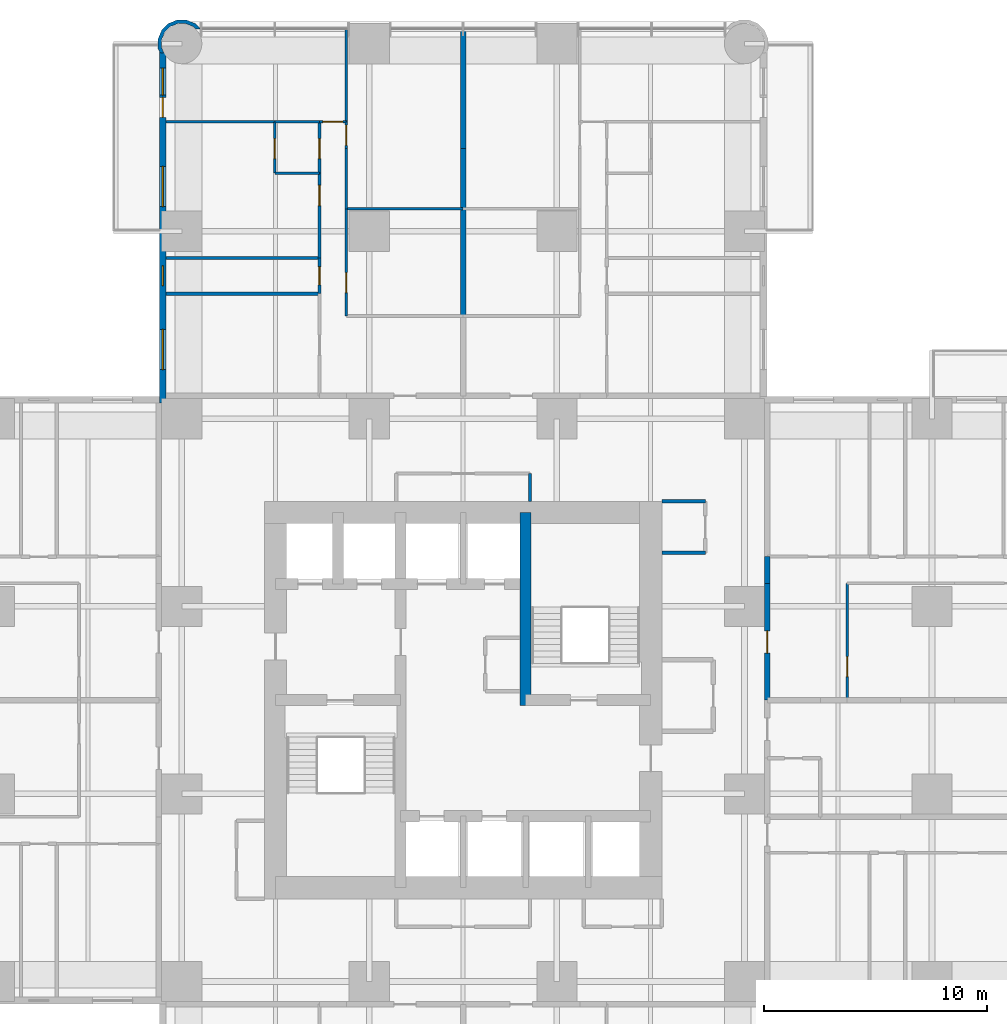
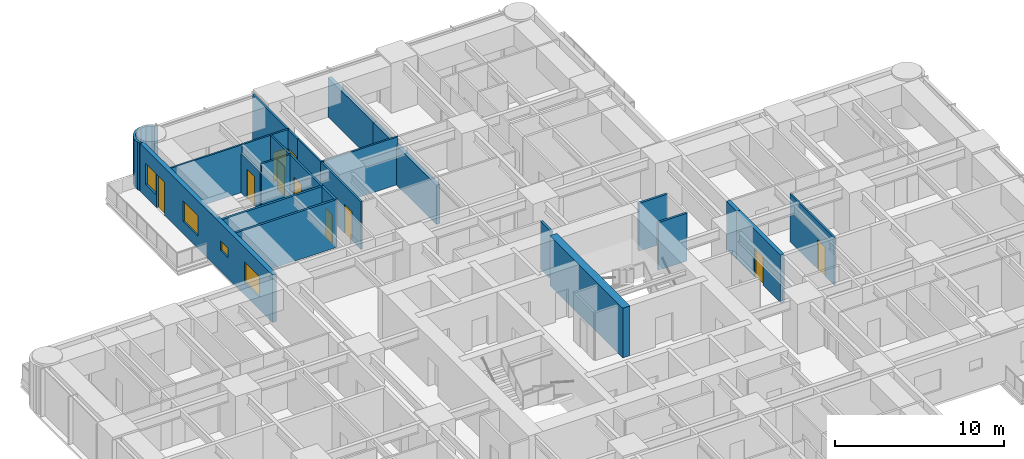
# One storey, part 13 of 17: 27 walls, 10 doors, 4 windows, 14 openings.
"""IFC4 building model written with IfcOpenShell, lengths in metres."""

from ifc_helpers import new_model, si_unit, direction, frame, frame_2d, origin, place, context, subcontext, project, spatial, polyline, rectangle, outline, extrude, material, layer, layer_set, type_object, element, fill, save


model = new_model("IFC4")

# Units and contexts
model_context = context("Model", 3, precision=1e-05, world=origin(), true_north=direction((0.0, 1.0)))
body_context = subcontext(model_context, "Body", "Model", "MODEL_VIEW")
ifc_project = project(units=[si_unit("LENGTHUNIT", "METRE"), si_unit("AREAUNIT", "SQUARE_METRE"), si_unit("VOLUMEUNIT", "CUBIC_METRE"), si_unit("PLANEANGLEUNIT", "RADIAN"), si_unit("MASSUNIT", "GRAM", prefix="KILO")], contexts=[model_context])

# Site, building, storey
site_placement = place(None, origin())
site = spatial("IfcSite", under=ifc_project, at=site_placement, CompositionType="ELEMENT")
building_placement = place(site_placement, origin())
building = spatial("IfcBuilding", under=site, at=building_placement, Name="Torre Alcanfor", CompositionType="ELEMENT")
storey_placement = place(building_placement, frame((0.0, 0.0, 52.5)))
storey = spatial("IfcBuildingStorey", under=building, at=storey_placement, Name="L12", CompositionType="ELEMENT", Elevation=52.5)

# Wall, opening, door
ifc_material_1 = material(Name="Concrete block masonry, hollow blocks NMX-C-404 9 MPa", Category="masonry")
ifc_layer_1 = layer(ifc_material_1, 0.25)
ifc_layer_set_1 = layer_set([ifc_layer_1], Name="Apartment entrance wall 250 EI 60")
wall_type_1 = type_object("IfcWallType", Name="Apartment entrance wall 250 EI 60", PredefinedType="PARTITIONING", material=ifc_layer_set_1)
wall_1_placement = place(storey_placement, frame((43.02490234375, 34.62890625, 0.0), z_axis=(0.0, 0.0, 1.0), x_axis=(0.0, -1.0, 0.0)))
wall_1 = element("IfcWall", 1, at=wall_1_placement, inside=storey, type_object=wall_type_1, Name="Partition L12-CORR / L12-E1-ZAG", PredefinedType="PARTITIONING", context=body_context, shape_type="SweptSolid", body=[
    extrude(rectangle(XDim=5.22900390625, YDim=0.25, at=frame_2d((2.614501953125, 0.0))), origin(), (0.0, 0.0, 1.0), 3.449951171875),
])
opening_1_placement = place(wall_1_placement, frame((2.12890625, 0.0, 0.0)))
opening_1 = element("IfcOpeningElement", 2, at=opening_1_placement, cuts=wall_1, Name="Opening D-A1", PredefinedType="OPENING", context=body_context, shape_type="SweptSolid", body=[
    extrude(rectangle(XDim=1.0, YDim=2.10009765625, at=frame_2d((0.5, 1.050048828125))), frame((0.0, 0.135009765625, 0.0), z_axis=(0.0, -1.0, 0.0), x_axis=(1.0, 0.0, 0.0)), (0.0, 0.0, 1.0), 0.27001953125),
])
ifc_material_2 = material(Name="Galvanised steel sheet ASTM A653", Category="steel")
door_type_1 = type_object("IfcDoorType", Name="Apartment entrance door FD60 1000x2100", OperationType="SINGLE_SWING_LEFT", PredefinedType="DOOR", material=ifc_material_2)
door_1_placement = place(opening_1_placement, origin())
door_1 = element("IfcDoor", 3, at=door_1_placement, inside=storey, type_object=door_type_1, Name="Apartment entrance L12-E1", OperationType="SINGLE_SWING_RIGHT", OverallHeight=2.10009765625, OverallWidth=1.0, PredefinedType="DOOR", context=body_context, shape_type="SweptSolid", body=[
    extrude(rectangle(XDim=1.0, YDim=2.10009765625, at=frame_2d((0.5, 1.050048828125))), frame((0.0, 0.02490234375, 0.0), z_axis=(0.0, -1.0, 0.0), x_axis=(1.0, 0.0, 0.0)), (0.0, 0.0, 1.0), 0.050048828125),
])
fill(opening_1, door_1)

# Walls
wall_2_placement = place(storey_placement, frame((43.02490234375, 35.8291015625, 0.0), z_axis=(0.0, 0.0, 1.0), x_axis=(0.0, -1.0, 0.0)))
element("IfcWall", 4, at=wall_2_placement, inside=storey, type_object=wall_type_1, Name="Partition L12-CORR / L12-E1-HALL", PredefinedType="PARTITIONING", context=body_context, shape_type="SweptSolid", body=[
    extrude(rectangle(XDim=1.2001953125, YDim=0.25, at=frame_2d((0.60009765625, 0.0))), origin(), (0.0, 0.0, 1.0), 3.449951171875),
])
ifc_material_3 = material(Name="Gypsum board on steel studs", Category="steel")
ifc_layer_2 = layer(ifc_material_3, 0.1201171875)
ifc_layer_set_2 = layer_set([ifc_layer_2], Name="Apartment partition 120")
wall_type_2 = type_object("IfcWallType", Name="Apartment partition 120", PredefinedType="PARTITIONING", material=ifc_layer_set_2)
wall_3_placement = place(storey_placement, frame((29.39990234375, 51.39990234375, 0.0), z_axis=(0.0, 0.0, 1.0), x_axis=(-1.0, 0.0, 0.0)))
element("IfcWall", 5, at=wall_3_placement, inside=storey, type_object=wall_type_2, Name="Partition L12-N1-FAMILY / L12-N1-KITCHEN", PredefinedType="PARTITIONING", context=body_context, shape_type="SweptSolid", body=[
    extrude(rectangle(XDim=5.22900390625, YDim=0.1201171875, at=frame_2d((2.614501953125, 0.0))), origin(), (0.0, 0.0, 1.0), 3.449951171875),
])

# Wall, opening, door
wall_4_placement = place(storey_placement, frame((24.1708984375, 51.39990234375, 0.0), z_axis=(0.0, 0.0, 1.0), x_axis=(0.0, -1.0, 0.0)))
wall_4 = element("IfcWall", 6, at=wall_4_placement, inside=storey, type_object=wall_type_2, Name="Partition L12-N1-FAMILY / L12-N1-HALL", PredefinedType="PARTITIONING", context=body_context, shape_type="SweptSolid", body=[
    extrude(rectangle(XDim=4.7998046875, YDim=0.1201171875, at=frame_2d((2.39990234375, 0.0))), origin(), (0.0, 0.0, 1.0), 3.449951171875),
])
opening_2_placement = place(wall_4_placement, frame((2.85009765625, 0.0, 0.0)))
opening_2 = element("IfcOpeningElement", 7, at=opening_2_placement, cuts=wall_4, Name="Opening D-R1", PredefinedType="OPENING", context=body_context, shape_type="SweptSolid", body=[
    extrude(rectangle(XDim=0.89990234375, YDim=2.10009765625, at=frame_2d((0.449951171875, 1.050048828125))), frame((0.0, 0.070068359375, 0.0), z_axis=(0.0, -1.0, 0.0), x_axis=(1.0, 0.0, 0.0)), (0.0, 0.0, 1.0), 0.14013671875),
])
ifc_material_4 = material(Name="Timber", Category="wood")
door_type_2 = type_object("IfcDoorType", Name="Internal door 900x2100", OperationType="SINGLE_SWING_LEFT", PredefinedType="DOOR", material=ifc_material_4)
door_2_placement = place(opening_2_placement, origin())
door_2 = element("IfcDoor", 8, at=door_2_placement, inside=storey, type_object=door_type_2, Name="Door L12-N1 family", OperationType="SINGLE_SWING_RIGHT", OverallHeight=2.10009765625, OverallWidth=0.89990234375, PredefinedType="DOOR", context=body_context, shape_type="SweptSolid", body=[
    extrude(rectangle(XDim=0.89990234375, YDim=2.10009765625, at=frame_2d((0.449951171875, 1.050048828125))), frame((0.0, 0.02490234375, 0.0), z_axis=(0.0, -1.0, 0.0), x_axis=(1.0, 0.0, 0.0)), (0.0, 0.0, 1.0), 0.050048828125),
])
fill(opening_2, door_2)

# Wall
wall_5_placement = place(storey_placement, frame((24.1708984375, 54.10009765625, 0.0), z_axis=(0.0, 0.0, 1.0), x_axis=(0.0, -1.0, 0.0)))
element("IfcWall", 9, at=wall_5_placement, inside=storey, type_object=wall_type_2, Name="Partition L12-N1-KITCHEN / L12-N1-HALL", PredefinedType="PARTITIONING", context=body_context, shape_type="SweptSolid", body=[
    extrude(rectangle(XDim=2.7001953125, YDim=0.1201171875, at=frame_2d((1.35009765625, 0.0))), origin(), (0.0, 0.0, 1.0), 3.449951171875),
])

# Wall, opening, door
wall_6_placement = place(storey_placement, frame((24.1708984375, 55.300048828125, 0.0), z_axis=(0.0, 0.0, 1.0), x_axis=(0.0, -1.0, 0.0)))
wall_6 = element("IfcWall", 10, at=wall_6_placement, inside=storey, type_object=wall_type_2, Name="Partition L12-N1-LIVING / L12-N1-HALL", PredefinedType="PARTITIONING", context=body_context, shape_type="SweptSolid", body=[
    extrude(rectangle(XDim=1.199951171875, YDim=0.1201171875, at=frame_2d((0.60009765625, 0.0))), origin(), (0.0, 0.0, 1.0), 3.449951171875),
])
opening_3_placement = place(wall_6_placement, frame((0.14990234375, 0.0, 0.0)))
opening_3 = element("IfcOpeningElement", 11, at=opening_3_placement, cuts=wall_6, Name="Opening D-R1", PredefinedType="OPENING", context=body_context, shape_type="SweptSolid", body=[
    extrude(rectangle(XDim=0.89990234375, YDim=2.10009765625, at=frame_2d((0.449951171875, 1.050048828125))), frame((0.0, 0.070068359375, 0.0), z_axis=(0.0, -1.0, 0.0), x_axis=(1.0, 0.0, 0.0)), (0.0, 0.0, 1.0), 0.14013671875),
])
door_3_placement = place(opening_3_placement, origin())
door_3 = element("IfcDoor", 12, at=door_3_placement, inside=storey, type_object=door_type_2, Name="Door L12-N1 living", OperationType="SINGLE_SWING_RIGHT", OverallHeight=2.10009765625, OverallWidth=0.89990234375, PredefinedType="DOOR", context=body_context, shape_type="SweptSolid", body=[
    extrude(rectangle(XDim=0.89990234375, YDim=2.10009765625, at=frame_2d((0.449951171875, 1.050048828125))), frame((0.0, 0.02490234375, 0.0), z_axis=(0.0, -1.0, 0.0), x_axis=(1.0, 0.0, 0.0)), (0.0, 0.0, 1.0), 0.050048828125),
])
fill(opening_3, door_3)

# Wall
wall_7_placement = place(storey_placement, frame((24.1708984375, 59.449951171875, 0.0), z_axis=(0.0, 0.0, 1.0), x_axis=(0.0, -1.0, 0.0)))
element("IfcWall", 13, at=wall_7_placement, inside=storey, type_object=wall_type_2, Name="Partition L12-N1-LIVING / L12-N1-WGARD", PredefinedType="PARTITIONING", context=body_context, shape_type="SweptSolid", body=[
    extrude(rectangle(XDim=4.14990234375, YDim=0.1201171875, at=frame_2d((2.074951171875, 0.0))), origin(), (0.0, 0.0, 1.0), 3.449951171875),
])

# Wall, opening, door
wall_8_placement = place(storey_placement, frame((22.970947265625, 53.0, 0.0), z_axis=(0.0, 0.0, 1.0), x_axis=(0.0, -1.0, 0.0)))
wall_8 = element("IfcWall", 14, at=wall_8_placement, inside=storey, type_object=wall_type_2, Name="Partition L12-N1-HALL / L12-N1-MASTER", PredefinedType="PARTITIONING", context=body_context, shape_type="SweptSolid", body=[
    extrude(rectangle(XDim=3.800048828125, YDim=0.1201171875, at=frame_2d((1.89990234375, 0.0))), origin(), (0.0, 0.0, 1.0), 3.449951171875),
])
opening_4_placement = place(wall_8_placement, frame((0.550048828125, 0.0, 0.0)))
opening_4 = element("IfcOpeningElement", 15, at=opening_4_placement, cuts=wall_8, Name="Opening D-R1", PredefinedType="OPENING", context=body_context, shape_type="SweptSolid", body=[
    extrude(rectangle(XDim=0.89990234375, YDim=2.10009765625, at=frame_2d((0.449951171875, 1.050048828125))), frame((0.0, 0.070068359375, 0.0), z_axis=(0.0, -1.0, 0.0), x_axis=(1.0, 0.0, 0.0)), (0.0, 0.0, 1.0), 0.14013671875),
])
door_4_placement = place(opening_4_placement, frame((0.89990234375, 0.0, 0.0), z_axis=(0.0, 0.0, 1.0), x_axis=(-1.0, 0.0, 0.0)))
door_4 = element("IfcDoor", 16, at=door_4_placement, inside=storey, type_object=door_type_2, Name="Door L12-N1 master", OperationType="SINGLE_SWING_RIGHT", OverallHeight=2.10009765625, OverallWidth=0.89990234375, PredefinedType="DOOR", context=body_context, shape_type="SweptSolid", body=[
    extrude(rectangle(XDim=0.89990234375, YDim=2.10009765625, at=frame_2d((0.449951171875, 1.050048828125))), frame((0.0, 0.025146484375, 0.0), z_axis=(0.0, -1.0, 0.0), x_axis=(1.0, 0.0, 0.0)), (0.0, 0.0, 1.0), 0.050048828125),
])
fill(opening_4, door_4)

wall_9_placement = place(storey_placement, frame((22.970947265625, 55.300048828125, 0.0), z_axis=(0.0, 0.0, 1.0), x_axis=(0.0, -1.0, 0.0)))
wall_9 = element("IfcWall", 17, at=wall_9_placement, inside=storey, type_object=wall_type_2, Name="Partition L12-N1-HALL / L12-N1-VEST", PredefinedType="PARTITIONING", context=body_context, shape_type="SweptSolid", body=[
    extrude(rectangle(XDim=2.300048828125, YDim=0.1201171875, at=frame_2d((1.14990234375, 0.0))), origin(), (0.0, 0.0, 1.0), 3.449951171875),
])
opening_5_placement = place(wall_9_placement, frame((0.75, 0.0, 0.0)))
opening_5 = element("IfcOpeningElement", 18, at=opening_5_placement, cuts=wall_9, Name="Opening D-R1", PredefinedType="OPENING", context=body_context, shape_type="SweptSolid", body=[
    extrude(rectangle(XDim=0.89990234375, YDim=2.10009765625, at=frame_2d((0.449951171875, 1.050048828125))), frame((0.0, 0.070068359375, 0.0), z_axis=(0.0, -1.0, 0.0), x_axis=(1.0, 0.0, 0.0)), (0.0, 0.0, 1.0), 0.14013671875),
])
door_5_placement = place(opening_5_placement, frame((0.89990234375, 0.0, 0.0), z_axis=(0.0, 0.0, 1.0), x_axis=(-1.0, 0.0, 0.0)))
door_5 = element("IfcDoor", 19, at=door_5_placement, inside=storey, type_object=door_type_2, Name="Door L12-N1 vest", OperationType="SINGLE_SWING_LEFT", OverallHeight=2.10009765625, OverallWidth=0.89990234375, PredefinedType="DOOR", context=body_context, shape_type="SweptSolid", body=[
    extrude(rectangle(XDim=0.89990234375, YDim=2.10009765625, at=frame_2d((0.449951171875, 1.050048828125))), frame((0.0, 0.025146484375, 0.0), z_axis=(0.0, -1.0, 0.0), x_axis=(1.0, 0.0, 0.0)), (0.0, 0.0, 1.0), 0.050048828125),
])
fill(opening_5, door_5)

wall_10_placement = place(storey_placement, frame((24.1708984375, 55.300048828125, 0.0), z_axis=(0.0, 0.0, 1.0), x_axis=(-1.0, 0.0, 0.0)))
wall_10 = element("IfcWall", 20, at=wall_10_placement, inside=storey, type_object=wall_type_2, Name="Partition L12-N1-HALL / L12-N1-WGARD", PredefinedType="PARTITIONING", context=body_context, shape_type="SweptSolid", body=[
    extrude(rectangle(XDim=1.199951171875, YDim=0.1201171875, at=frame_2d((0.60009765625, 0.0))), origin(), (0.0, 0.0, 1.0), 3.449951171875),
])
opening_6_placement = place(wall_10_placement, frame((0.15087890625, 0.0, 0.0)))
opening_6 = element("IfcOpeningElement", 21, at=opening_6_placement, cuts=wall_10, Name="Opening D-R1", PredefinedType="OPENING", context=body_context, shape_type="SweptSolid", body=[
    extrude(rectangle(XDim=0.89990234375, YDim=2.10009765625, at=frame_2d((0.449951171875, 1.050048828125))), frame((0.0, 0.070068359375, 0.0), z_axis=(0.0, -1.0, 0.0), x_axis=(1.0, 0.0, 0.0)), (0.0, 0.0, 1.0), 0.14013671875),
])
door_6_placement = place(opening_6_placement, frame((0.89990234375, 0.0, 0.0), z_axis=(0.0, 0.0, 1.0), x_axis=(-1.0, 0.0, 0.0)))
door_6 = element("IfcDoor", 22, at=door_6_placement, inside=storey, type_object=door_type_2, Name="Door L12-N1 wgard", OperationType="SINGLE_SWING_RIGHT", OverallHeight=2.10009765625, OverallWidth=0.89990234375, PredefinedType="DOOR", context=body_context, shape_type="SweptSolid", body=[
    extrude(rectangle(XDim=0.89990234375, YDim=2.10009765625, at=frame_2d((0.449951171875, 1.050048828125))), frame((0.0, 0.025146484375, 0.0), z_axis=(0.0, -1.0, 0.0), x_axis=(1.0, 0.0, 0.0)), (0.0, 0.0, 1.0), 0.050048828125),
])
fill(opening_6, door_6)

wall_11_placement = place(storey_placement, frame((20.970947265625, 55.300048828125, 0.0), z_axis=(0.0, 0.0, 1.0), x_axis=(0.0, -1.0, 0.0)))
wall_11 = element("IfcWall", 23, at=wall_11_placement, inside=storey, type_object=wall_type_2, Name="Partition L12-N1-MASTER / L12-N1-VEST", PredefinedType="PARTITIONING", context=body_context, shape_type="SweptSolid", body=[
    extrude(rectangle(XDim=2.300048828125, YDim=0.1201171875, at=frame_2d((1.14990234375, 0.0))), origin(), (0.0, 0.0, 1.0), 2.847900390625),
])
opening_7_placement = place(wall_11_placement, frame((0.75, 0.0, 0.0)))
opening_7 = element("IfcOpeningElement", 24, at=opening_7_placement, cuts=wall_11, Name="Opening D-R1", PredefinedType="OPENING", context=body_context, shape_type="SweptSolid", body=[
    extrude(rectangle(XDim=0.89990234375, YDim=2.10009765625, at=frame_2d((0.449951171875, 1.050048828125))), frame((0.0, 0.070068359375, 0.0), z_axis=(0.0, -1.0, 0.0), x_axis=(1.0, 0.0, 0.0)), (0.0, 0.0, 1.0), 0.14013671875),
])
door_7_placement = place(opening_7_placement, origin())
door_7 = element("IfcDoor", 25, at=door_7_placement, inside=storey, type_object=door_type_2, Name="Door L12-N1 master", OperationType="SINGLE_SWING_RIGHT", OverallHeight=2.10009765625, OverallWidth=0.89990234375, PredefinedType="DOOR", context=body_context, shape_type="SweptSolid", body=[
    extrude(rectangle(XDim=0.89990234375, YDim=2.10009765625, at=frame_2d((0.449951171875, 1.050048828125))), frame((0.0, 0.02490234375, 0.0), z_axis=(0.0, -1.0, 0.0), x_axis=(1.0, 0.0, 0.0)), (0.0, 0.0, 1.0), 0.050048828125),
])
fill(opening_7, door_7)

# Walls
wall_12_placement = place(storey_placement, frame((20.970947265625, 53.0, 0.0), z_axis=(0.0, 0.0, 1.0), x_axis=(1.0, 0.0, 0.0)))
element("IfcWall", 26, at=wall_12_placement, inside=storey, type_object=wall_type_2, Name="Partition L12-N1-MASTER / L12-N1-VEST", PredefinedType="PARTITIONING", context=body_context, shape_type="SweptSolid", body=[
    extrude(rectangle(XDim=2.0, YDim=0.1201171875, at=frame_2d((1.0, 0.0))), origin(), (0.0, 0.0, 1.0), 3.449951171875),
])
wall_13_placement = place(storey_placement, frame((16.10009765625, 55.300048828125, 0.0), z_axis=(0.0, 0.0, 1.0), x_axis=(1.0, 0.0, 0.0)))
element("IfcWall", 27, at=wall_13_placement, inside=storey, type_object=wall_type_2, Name="Partition L12-N1-MASTER / L12-N1-WGARD", PredefinedType="PARTITIONING", context=body_context, shape_type="SweptSolid", body=[
    extrude(rectangle(XDim=4.870849609375, YDim=0.1201171875, at=frame_2d((2.435546875, 0.0))), origin(), (0.0, 0.0, 1.0), 3.449951171875),
])
wall_14_placement = place(storey_placement, frame((22.970947265625, 55.300048828125, 0.0), z_axis=(0.0, 0.0, 1.0), x_axis=(-1.0, 0.0, 0.0)))
element("IfcWall", 28, at=wall_14_placement, inside=storey, type_object=wall_type_2, Name="Partition L12-N1-VEST / L12-N1-WGARD", PredefinedType="PARTITIONING", context=body_context, shape_type="SweptSolid", body=[
    extrude(rectangle(XDim=2.0, YDim=0.1201171875, at=frame_2d((1.0, 0.0))), origin(), (0.0, 0.0, 1.0), 3.449951171875),
])

# Wall, opening, door
wall_15_placement = place(storey_placement, frame((46.60009765625, 29.39990234375, 0.0), z_axis=(0.0, 0.0, 1.0), x_axis=(0.0, 1.0, 0.0)))
wall_15 = element("IfcWall", 29, at=wall_15_placement, inside=storey, type_object=wall_type_2, Name="Partition L12-E1-ZAG / L12-E1-KITCHEN", PredefinedType="PARTITIONING", context=body_context, shape_type="SweptSolid", body=[
    extrude(rectangle(XDim=5.22900390625, YDim=0.1201171875, at=frame_2d((2.614501953125, 0.0))), origin(), (0.0, 0.0, 1.0), 3.449951171875),
])
opening_8_placement = place(wall_15_placement, frame((1.050048828125, 0.0, 0.0)))
opening_8 = element("IfcOpeningElement", 30, at=opening_8_placement, cuts=wall_15, Name="Opening D-R1", PredefinedType="OPENING", context=body_context, shape_type="SweptSolid", body=[
    extrude(rectangle(XDim=0.89990234375, YDim=2.10009765625, at=frame_2d((0.449951171875, 1.050048828125))), frame((0.0, 0.070068359375, 0.0), z_axis=(0.0, -1.0, 0.0), x_axis=(1.0, 0.0, 0.0)), (0.0, 0.0, 1.0), 0.14013671875),
])
door_8_placement = place(opening_8_placement, frame((0.89990234375, 0.0, 0.0), z_axis=(0.0, 0.0, 1.0), x_axis=(-1.0, 0.0, 0.0)))
door_8 = element("IfcDoor", 31, at=door_8_placement, inside=storey, type_object=door_type_2, Name="Door L12-E1 kitchen", OperationType="SINGLE_SWING_RIGHT", OverallHeight=2.10009765625, OverallWidth=0.89990234375, PredefinedType="DOOR", context=body_context, shape_type="SweptSolid", body=[
    extrude(rectangle(XDim=0.89990234375, YDim=2.10009765625, at=frame_2d((0.449951171875, 1.050048828125))), frame((0.0, 0.025146484375, 0.0), z_axis=(0.0, -1.0, 0.0), x_axis=(1.0, 0.0, 0.0)), (0.0, 0.0, 1.0), 0.050048828125),
])
fill(opening_8, door_8)

# Wall
ifc_material_5 = material(Name="Concrete f'c 70 MPa", Category="concrete")
ifc_layer_3 = layer(ifc_material_5, 0.5)
ifc_layer_set_3 = layer_set([ifc_layer_3], Name="Core inner wall 500 f'c70")
wall_type_3 = type_object("IfcWallType", Name="Core inner wall 500 f'c70", PredefinedType="SHEAR", material=ifc_layer_set_3)
wall_16_placement = place(storey_placement, frame((32.199951171875, 29.14990234375, 0.0), z_axis=(0.0, 0.0, 1.0), x_axis=(0.0, 1.0, 0.0)))
element("IfcWall", 32, at=wall_16_placement, inside=storey, type_object=wall_type_3, Name="Core wall X322N L12", PredefinedType="SHEAR", context=body_context, shape_type="SweptSolid", body=[
    extrude(rectangle(XDim=8.650146484375, YDim=0.5, at=frame_2d((4.3251953125, 0.0))), origin(), (0.0, 0.0, 1.0), 3.60009765625),
])

# Wall, openings, door, windows
ifc_material_6 = material(Name="Limestone cladding", Category="masonry")
ifc_layer_4 = layer(ifc_material_6, 0.0400390625, Name="Facing")
ifc_material_7 = material(Name="Ventilated air cavity")
ifc_layer_5 = layer(ifc_material_7, 0.02001953125, ventilated=True, Name="Ventilated joint")
ifc_material_8 = material(Name="Mineral wool insulation", Category="insulation")
ifc_layer_6 = layer(ifc_material_8, 0.10009765625, Name="Insulation")
ifc_material_9 = material(Name="Concrete f'c 35 MPa", Category="concrete")
ifc_layer_7 = layer(ifc_material_9, 0.139892578125, Name="Backing")
ifc_layer_set_4 = layer_set([ifc_layer_4, ifc_layer_5, ifc_layer_6, ifc_layer_7], Name="External wall stone-clad 300")
wall_type_4 = type_object("IfcWallType", Name="External wall stone-clad 300", PredefinedType="SOLIDWALL", material=ifc_layer_set_4)
wall_17_placement = place(storey_placement, frame((15.949951171875, 58.39990234375, 0.0), z_axis=(0.0, 0.0, 1.0), x_axis=(0.0, -1.0, 0.0)))
wall_17 = element("IfcWall", 33, at=wall_17_placement, inside=storey, type_object=wall_type_4, Name="External wall L12 12", PredefinedType="SOLIDWALL", context=body_context, shape_type="SweptSolid", body=[
    extrude(rectangle(XDim=15.699951171875, YDim=0.300048828125, at=frame_2d((7.85009765625, 0.0))), origin(), (0.0, 0.0, 1.0), 3.449951171875),
])
opening_9_placement = place(wall_17_placement, frame((12.39990234375, 0.0, 0.89990234375)))
opening_9 = element("IfcOpeningElement", 34, at=opening_9_placement, cuts=wall_17, Name="Opening W2", PredefinedType="OPENING", context=body_context, shape_type="SweptSolid", body=[
    extrude(rectangle(XDim=1.800048828125, YDim=1.5, at=frame_2d((0.89990234375, 0.75))), frame((0.0, 0.159912109375, 0.0), z_axis=(0.0, -1.0, 0.0), x_axis=(1.0, 0.0, 0.0)), (0.0, 0.0, 1.0), 0.320068359375),
])
opening_10_placement = place(wall_17_placement, frame((9.550048828125, 0.0, 1.5)))
opening_10 = element("IfcOpeningElement", 35, at=opening_10_placement, cuts=wall_17, Name="Opening W3", PredefinedType="OPENING", context=body_context, shape_type="SweptSolid", body=[
    extrude(rectangle(XDim=0.89990234375, YDim=0.699951171875, at=frame_2d((0.449951171875, 0.35009765625))), frame((0.0, 0.159912109375, 0.0), z_axis=(0.0, -1.0, 0.0), x_axis=(1.0, 0.0, 0.0)), (0.0, 0.0, 1.0), 0.320068359375),
])
opening_11_placement = place(wall_17_placement, frame((5.10009765625, 0.0, 0.89990234375)))
opening_11 = element("IfcOpeningElement", 36, at=opening_11_placement, cuts=wall_17, Name="Opening W2", PredefinedType="OPENING", context=body_context, shape_type="SweptSolid", body=[
    extrude(rectangle(XDim=1.800048828125, YDim=1.5, at=frame_2d((0.89990234375, 0.75))), frame((0.0, 0.159912109375, 0.0), z_axis=(0.0, -1.0, 0.0), x_axis=(1.0, 0.0, 0.0)), (0.0, 0.0, 1.0), 0.320068359375),
])
opening_12_placement = place(wall_17_placement, frame((2.0, 0.0, 0.0)))
opening_12 = element("IfcOpeningElement", 37, at=opening_12_placement, cuts=wall_17, Name="Opening D-B1", PredefinedType="OPENING", context=body_context, shape_type="SweptSolid", body=[
    extrude(rectangle(XDim=0.89990234375, YDim=2.39990234375, at=frame_2d((0.449951171875, 1.199951171875))), frame((0.0, 0.159912109375, 0.0), z_axis=(0.0, -1.0, 0.0), x_axis=(1.0, 0.0, 0.0)), (0.0, 0.0, 1.0), 0.320068359375),
])
opening_13_placement = place(wall_17_placement, frame((0.699951171875, 0.0, 0.89990234375)))
opening_13 = element("IfcOpeningElement", 38, at=opening_13_placement, cuts=wall_17, Name="Opening W4", PredefinedType="OPENING", context=body_context, shape_type="SweptSolid", body=[
    extrude(rectangle(XDim=1.199951171875, YDim=1.5, at=frame_2d((0.60009765625, 0.75))), frame((0.0, 0.159912109375, 0.0), z_axis=(0.0, -1.0, 0.0), x_axis=(1.0, 0.0, 0.0)), (0.0, 0.0, 1.0), 0.320068359375),
])
ifc_material_10 = material(Name="Aluminium and glass", Category="aluminium")
door_type_3 = type_object("IfcDoorType", Name="Balcony door glazed 900x2400", OperationType="SINGLE_SWING_LEFT", PredefinedType="DOOR", material=ifc_material_10)
door_9_placement = place(opening_12_placement, origin())
door_9 = element("IfcDoor", 39, at=door_9_placement, inside=storey, type_object=door_type_3, Name="Balcony door L12-N1", OperationType="SINGLE_SWING_RIGHT", OverallHeight=2.39990234375, OverallWidth=0.89990234375, PredefinedType="DOOR", context=body_context, shape_type="SweptSolid", body=[
    extrude(rectangle(XDim=0.89990234375, YDim=2.39990234375, at=frame_2d((0.449951171875, 1.199951171875))), frame((0.0, 0.02490234375, 0.0), z_axis=(0.0, -1.0, 0.0), x_axis=(1.0, 0.0, 0.0)), (0.0, 0.0, 1.0), 0.050048828125),
])
fill(opening_12, door_9)
ifc_material_11 = material(Name="Aluminium frame with clear double glazing", Category="aluminium")
window_type_1 = type_object("IfcWindowType", Name="Window bathroom 900x700", PartitioningType="SINGLE_PANEL", PredefinedType="WINDOW", material=ifc_material_11)
window_1_placement = place(opening_10_placement, origin())
window_1 = element("IfcWindow", 40, at=window_1_placement, inside=storey, type_object=window_type_1, Name="Window W3 L12-N1", OverallHeight=0.699951171875, OverallWidth=0.89990234375, PartitioningType="SINGLE_PANEL", PredefinedType="WINDOW", context=body_context, shape_type="SweptSolid", body=[
    extrude(rectangle(XDim=0.89990234375, YDim=0.699951171875, at=frame_2d((0.449951171875, 0.35009765625))), frame((0.0, 0.030029296875, 0.0), z_axis=(0.0, -1.0, 0.0), x_axis=(1.0, 0.0, 0.0)), (0.0, 0.0, 1.0), 0.06005859375),
])
fill(opening_10, window_1)
ifc_material_12 = material(Name="Aluminium frame with clear double glazing", Category="aluminium")
window_type_2 = type_object("IfcWindowType", Name="Window bedroom 1200x1500", PartitioningType="SINGLE_PANEL", PredefinedType="WINDOW", material=ifc_material_12)
window_2_placement = place(opening_13_placement, origin())
window_2 = element("IfcWindow", 41, at=window_2_placement, inside=storey, type_object=window_type_2, Name="Window W4 L12-N1", OverallHeight=1.5, OverallWidth=1.199951171875, PartitioningType="SINGLE_PANEL", PredefinedType="WINDOW", context=body_context, shape_type="SweptSolid", body=[
    extrude(rectangle(XDim=1.199951171875, YDim=1.5, at=frame_2d((0.60009765625, 0.75))), frame((0.0, 0.030029296875, 0.0), z_axis=(0.0, -1.0, 0.0), x_axis=(1.0, 0.0, 0.0)), (0.0, 0.0, 1.0), 0.06005859375),
])
fill(opening_13, window_2)
ifc_material_13 = material(Name="Aluminium frame with clear double glazing", Category="aluminium")
window_type_3 = type_object("IfcWindowType", Name="Window bedroom 1800x1500", PartitioningType="SINGLE_PANEL", PredefinedType="WINDOW", material=ifc_material_13)
window_3_placement = place(opening_9_placement, origin())
window_3 = element("IfcWindow", 42, at=window_3_placement, inside=storey, type_object=window_type_3, Name="Window W2 L12-N1", OverallHeight=1.5, OverallWidth=1.800048828125, PartitioningType="SINGLE_PANEL", PredefinedType="WINDOW", context=body_context, shape_type="SweptSolid", body=[
    extrude(rectangle(XDim=1.800048828125, YDim=1.5, at=frame_2d((0.89990234375, 0.75))), frame((0.0, 0.030029296875, 0.0), z_axis=(0.0, -1.0, 0.0), x_axis=(1.0, 0.0, 0.0)), (0.0, 0.0, 1.0), 0.06005859375),
])
fill(opening_9, window_3)
window_4_placement = place(opening_11_placement, origin())
window_4 = element("IfcWindow", 43, at=window_4_placement, inside=storey, type_object=window_type_3, Name="Window W2 L12-N1", OverallHeight=1.5, OverallWidth=1.800048828125, PartitioningType="SINGLE_PANEL", PredefinedType="WINDOW", context=body_context, shape_type="SweptSolid", body=[
    extrude(rectangle(XDim=1.800048828125, YDim=1.5, at=frame_2d((0.89990234375, 0.75))), frame((0.0, 0.030029296875, 0.0), z_axis=(0.0, -1.0, 0.0), x_axis=(1.0, 0.0, 0.0)), (0.0, 0.0, 1.0), 0.06005859375),
])
fill(opening_11, window_4)

# Walls
ifc_material_14 = material(Name="Concrete block masonry, hollow blocks NMX-C-404 9 MPa", Category="masonry")
ifc_layer_8 = layer(ifc_material_14, 0.25)
ifc_layer_set_5 = layer_set([ifc_layer_8], Name="Party wall 250 EI 60")
wall_type_5 = type_object("IfcWallType", Name="Party wall 250 EI 60", PredefinedType="PARTITIONING", material=ifc_layer_set_5)
wall_18_placement = place(storey_placement, frame((29.39990234375, 46.60009765625, 0.0), z_axis=(0.0, 0.0, 1.0), x_axis=(0.0, 1.0, 0.0)))
element("IfcWall", 44, at=wall_18_placement, inside=storey, type_object=wall_type_5, Name="Partition L12-N1-FAMILY / L12-N2-FAMILY", PredefinedType="PARTITIONING", context=body_context, shape_type="SweptSolid", body=[
    extrude(rectangle(XDim=4.7998046875, YDim=0.25, at=frame_2d((2.39990234375, 0.0))), origin(), (0.0, 0.0, 1.0), 2.847900390625),
])
wall_19_placement = place(storey_placement, frame((29.39990234375, 51.39990234375, 0.0), z_axis=(0.0, 0.0, 1.0), x_axis=(0.0, 1.0, 0.0)))
element("IfcWall", 45, at=wall_19_placement, inside=storey, type_object=wall_type_5, Name="Partition L12-N1-KITCHEN / L12-N2-KITCHEN", PredefinedType="PARTITIONING", context=body_context, shape_type="SweptSolid", body=[
    extrude(rectangle(XDim=2.7001953125, YDim=0.25, at=frame_2d((1.35009765625, 0.0))), origin(), (0.0, 0.0, 1.0), 2.847900390625),
])
wall_20_placement = place(storey_placement, frame((29.39990234375, 54.10009765625, 0.0), z_axis=(0.0, 0.0, 1.0), x_axis=(0.0, 1.0, 0.0)))
element("IfcWall", 46, at=wall_20_placement, inside=storey, type_object=wall_type_5, Name="Partition L12-N1-LIVING / L12-N2-LIVING", PredefinedType="PARTITIONING", context=body_context, shape_type="SweptSolid", body=[
    extrude(rectangle(XDim=5.349853515625, YDim=0.25, at=frame_2d((2.6748046875, 0.0))), origin(), (0.0, 0.0, 1.0), 2.847900390625),
])
ifc_material_15 = material(Name="Concrete block masonry, hollow blocks NMX-C-404 9 MPa", Category="masonry")
ifc_layer_9 = layer(ifc_material_15, 0.14990234375)
ifc_layer_set_6 = layer_set([ifc_layer_9], Name="Residents' room partition 150")
wall_type_6 = type_object("IfcWallType", Name="Residents' room partition 150", PredefinedType="PARTITIONING", material=ifc_layer_set_6)
wall_21_placement = place(storey_placement, frame((32.39990234375, 38.300048828125, 0.0), z_axis=(0.0, 0.0, 1.0), x_axis=(0.0, 1.0, 0.0)))
element("IfcWall", 47, at=wall_21_placement, inside=storey, type_object=wall_type_6, Name="Partition L12-CORR / L12-G01", PredefinedType="PARTITIONING", context=body_context, shape_type="SweptSolid", body=[
    extrude(rectangle(XDim=1.25, YDim=0.14990234375, at=frame_2d((0.625, 0.0))), origin(), (0.0, 0.0, 1.0), 3.449951171875),
])
for number, where, z_axis, x_axis, name in (
    (48, (38.300048828125, 36.0, 0.0), (0.0, 0.0, 1.0), (1.0, 0.0, 0.0), "Partition L12-CORR / L12-G03"),
    (49, (40.25, 38.300048828125, 0.0), (0.0, 0.0, 1.0), (-1.0, 0.0, 0.0), "Partition L12-CORR / L12-G03"),
):
    element("IfcWall", number, at=place(storey_placement, frame(where, z_axis=z_axis, x_axis=x_axis)), inside=storey, type_object=wall_type_6, Name=name, PredefinedType="PARTITIONING", context=body_context, shape_type="SweptSolid", body=[
        extrude(rectangle(XDim=1.949951171875, YDim=0.14990234375, at=frame_2d((0.97509765625, 0.0))), origin(), (0.0, 0.0, 1.0), 3.449951171875),
    ])
ifc_layer_10 = layer(ifc_material_6, 0.0400390625, Name="Facing")
ifc_layer_11 = layer(ifc_material_7, 0.02001953125, ventilated=True, Name="Ventilated joint")
ifc_layer_12 = layer(ifc_material_8, 0.10009765625, Name="Insulation")
ifc_layer_13 = layer(ifc_material_9, 0.139892578125, Name="Backing")
ifc_layer_set_7 = layer_set([ifc_layer_10, ifc_layer_11, ifc_layer_12, ifc_layer_13], Name="Rounded corner pier stone-clad 300")
wall_type_7 = type_object("IfcWallType", Name="Rounded corner pier stone-clad 300", PredefinedType="SOLIDWALL", material=ifc_layer_set_7)
wall_22_placement = place(storey_placement, frame((17.56659392, 59.410519256, 0.0), z_axis=(0.0, 0.0, 1.0), x_axis=(-0.377204953059, 0.926129809145, 0.0)))
element("IfcWall", 50, at=wall_22_placement, inside=storey, type_object=wall_type_7, Name="Corner pier L12 20", PredefinedType="SOLIDWALL", context=body_context, shape_type="SweptSolid", body=[
    extrude(outline(polyline([(-0.2696128896034876, 2.017259773730947), (-0.3700074466497617, 1.8406682313445892), (-0.10228391712117135, 1.84234447704578), (0.22963955939869596, 1.7071548112521016), (0.48448400216769655, 1.4552078217286728), (0.623591424193435, 1.1249193736895309), (0.6256953869469392, 0.7663384814459974), (0.4905057211532608, 0.43441500492612994), (0.23855873162983204, 0.17957056215712927), (0.0901868556189969, 0.11689353267829827), (0.010896458992050665, -0.07778365620699182), (0.024462813618203284, -0.08330911938656994), (0.3293875956360306, 0.04530321995417183), (0.4799529344667901, 0.19750641360159463), (0.4990544088845829, 0.19262629437695172), (0.507600976756774, 0.22526044306054033), (0.6260470289213595, 0.34520397592848606), (0.7850882774402169, 0.7356888832512456), (0.7822913942554518, 1.1572920874778148), (0.618751344370654, 1.5460366857348715), (0.3187584973433468, 1.8424700131097647), (-0.07172640997941271, 2.0015112616286217), (-0.24006791291721008, 2.0004813020300714), (-0.2696128896034876, 2.017259773730947)])), origin(), (0.0, 0.0, 1.0), 3.449951171875),
])

# Wall, opening, door
ifc_material_16 = material(Name="Cement board on steel studs", Category="steel")
ifc_layer_14 = layer(ifc_material_16, 0.14990234375)
ifc_layer_set_8 = layer_set([ifc_layer_14], Name="Wet area partition 150")
wall_type_8 = type_object("IfcWallType", Name="Wet area partition 150", PredefinedType="PARTITIONING", material=ifc_layer_set_8)
wall_23_placement = place(storey_placement, frame((22.970947265625, 49.199951171875, 0.0), z_axis=(0.0, 0.0, 1.0), x_axis=(0.0, -1.0, 0.0)))
wall_23 = element("IfcWall", 51, at=wall_23_placement, inside=storey, type_object=wall_type_8, Name="Partition L12-N1-HALL / L12-N1-BATH1", PredefinedType="PARTITIONING", context=body_context, shape_type="SweptSolid", body=[
    extrude(rectangle(XDim=1.599853515625, YDim=0.14990234375, at=frame_2d((0.7998046875, 0.0))), origin(), (0.0, 0.0, 1.0), 3.449951171875),
])
opening_14_placement = place(wall_23_placement, frame((0.39990234375, 0.0, 0.0)))
opening_14 = element("IfcOpeningElement", 52, at=opening_14_placement, cuts=wall_23, Name="Opening D-R2", PredefinedType="OPENING", context=body_context, shape_type="SweptSolid", body=[
    extrude(rectangle(XDim=0.800048828125, YDim=2.10009765625, at=frame_2d((0.39990234375, 1.050048828125))), frame((0.0, 0.0849609375, 0.0), z_axis=(0.0, -1.0, 0.0), x_axis=(1.0, 0.0, 0.0)), (0.0, 0.0, 1.0), 0.169921875),
])
ifc_material_17 = material(Name="Timber", Category="wood")
door_type_4 = type_object("IfcDoorType", Name="Bathroom door 800x2100", OperationType="SINGLE_SWING_LEFT", PredefinedType="DOOR", material=ifc_material_17)
door_10_placement = place(opening_14_placement, frame((0.800048828125, 0.0, 0.0), z_axis=(0.0, 0.0, 1.0), x_axis=(-1.0, 0.0, 0.0)))
door_10 = element("IfcDoor", 53, at=door_10_placement, inside=storey, type_object=door_type_4, Name="Door L12-N1 bath1", OperationType="SINGLE_SWING_RIGHT", OverallHeight=2.10009765625, OverallWidth=0.800048828125, PredefinedType="DOOR", context=body_context, shape_type="SweptSolid", body=[
    extrude(rectangle(XDim=0.800048828125, YDim=2.10009765625, at=frame_2d((0.400146484375, 1.050048828125))), frame((0.0, 0.025146484375, 0.0), z_axis=(0.0, -1.0, 0.0), x_axis=(1.0, 0.0, 0.0)), (0.0, 0.0, 1.0), 0.050048828125),
])
fill(opening_14, door_10)

# Walls
for number, where, z_axis, x_axis, name in (
    (54, (22.970947265625, 47.60009765625, 0.0), (0.0, 0.0, 1.0), (-1.0, 0.0, 0.0), "Partition L12-N1-BED2 / L12-N1-BATH1"),
    (55, (22.970947265625, 49.199951171875, 0.0), (0.0, 0.0, 1.0), (-1.0, 0.0, 0.0), "Partition L12-N1-BATH1 / L12-N1-MASTER"),
):
    element("IfcWall", number, at=place(storey_placement, frame(where, z_axis=z_axis, x_axis=x_axis)), inside=storey, type_object=wall_type_8, Name=name, PredefinedType="PARTITIONING", context=body_context, shape_type="SweptSolid", body=[
        extrude(rectangle(XDim=6.870849609375, YDim=0.14990234375, at=frame_2d((3.435546875, 0.0))), origin(), (0.0, 0.0, 1.0), 3.449951171875),
    ])

save(model, "model.ifc")
